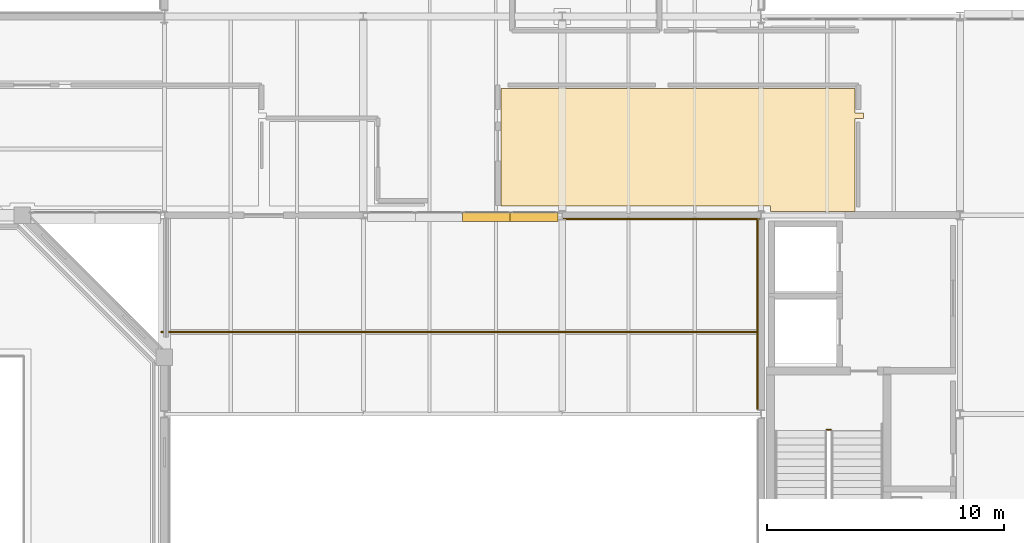
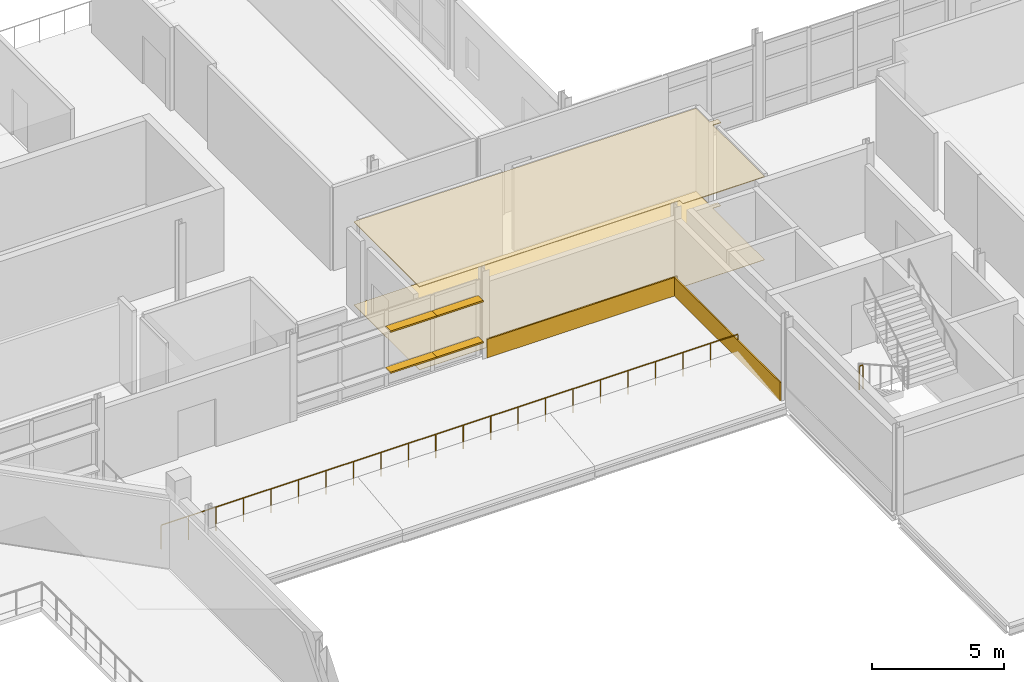
# One storey, part 136 of 151: 4 coverings, 4 shading devices, 2 railings.
"""IFC4 building model written with IfcOpenShell, lengths in metres."""

from ifc_helpers import new_model, si_unit, direction, frame, origin, origin_2d, place, context, subcontext, project, spatial, polyline, rectangle, circle, outline, extrude, material, layer, layer_set, type_object, element, save


model = new_model("IFC4")

# Units and contexts
model_context = context("Model", 3, precision=1e-05, world=origin(), true_north=direction((0.0, 1.0)))
body_context = subcontext(model_context, "Body", "Model", "MODEL_VIEW")
ifc_project = project(units=[si_unit("LENGTHUNIT", "METRE"), si_unit("AREAUNIT", "SQUARE_METRE"), si_unit("VOLUMEUNIT", "CUBIC_METRE"), si_unit("PLANEANGLEUNIT", "RADIAN"), si_unit("MASSUNIT", "GRAM", prefix="KILO")], contexts=[model_context])

# Site, building, storey
site_placement = place(None, origin())
site = spatial("IfcSite", under=ifc_project, at=site_placement, CompositionType="ELEMENT")
building_placement = place(site_placement, origin())
building = spatial("IfcBuilding", under=site, at=building_placement, Name="Mersafa Astral City Hall", CompositionType="ELEMENT")
storey_placement = place(building_placement, frame((0.0, 0.0, 9.89990234375)))
storey = spatial("IfcBuildingStorey", under=building, at=storey_placement, Name="L02", CompositionType="ELEMENT", Elevation=9.89990234375)

# Coverings
ifc_material_1 = material(Name="Cairo Mokattam buff limestone cladding", Category="masonry")
ifc_layer_1 = layer(ifc_material_1, 0.06005859375, Name="Cairo Mokattam buff limestone cladding")
ifc_layer_set_1 = layer_set([ifc_layer_1], Name="Cairo Mokattam buff limestone cladding — ENV-COV-LIMESTONE-60")
covering_type_1 = type_object("IfcCoveringType", Name="ENV-COV-LIMESTONE-60", PredefinedType="CLADDING", material=ifc_layer_set_1)
covering_1_placement = place(storey_placement, frame((113.39990234375, 25.0380859375, 0.0), z_axis=(0.0, 0.0, 1.0), x_axis=(1.0, 0.0, 0.0)))
element("IfcCovering", 1, at=covering_1_placement, inside=storey, type_object=covering_type_1, Name="L02 Cairo buff limestone rainscreen cladding 151", PredefinedType="CLADDING", context=body_context, shape_type="SweptSolid", body=[
    extrude(rectangle(XDim=8.323974609375, YDim=0.06005859375, at=origin_2d()), origin(), (0.0, 0.0, 1.0), 0.860107421875),
])
covering_2_placement = place(storey_placement, frame((117.445556640625, 21.0048828125, 0.0), z_axis=(0.0, 0.0, 1.0), x_axis=(0.0, -1.0, 0.0)))
element("IfcCovering", 2, at=covering_2_placement, inside=storey, type_object=covering_type_1, Name="L02 Cairo buff limestone rainscreen cladding 152", PredefinedType="CLADDING", context=body_context, shape_type="SweptSolid", body=[
    extrude(rectangle(XDim=7.998046875, YDim=0.06005859375, at=origin_2d()), origin(), (0.0, 0.0, 1.0), 0.860107421875),
])

# Railing
ifc_material_2 = material(Name="Anodised bronze steel balustrade with laminated safety infill", Category="steel")
railing_type_1 = type_object("IfcRailingType", Name="ENV-RAIL-TERRACE-1120", PredefinedType="BALUSTRADE", material=ifc_material_2)
railing_1_placement = place(storey_placement, frame((92.260009765625, 20.27001953125, 0.0)))
element("IfcRailing", 3, at=railing_1_placement, inside=storey, type_object=railing_type_1, Name="L02 Terrace perimeter guard balustrade 1", PredefinedType="BALUSTRADE", context=body_context, shape_type="SweptSolid", body=[
    extrude(circle(Radius=0.02392578125, at=origin_2d()), frame((0.0, 0.0, 1.09619140625), z_axis=(1.0, 0.0, 0.0), x_axis=(0.0, 1.0, 0.0)), (0.0, 0.0, 1.0), 25.199951171875),
    extrude(circle(Radius=0.02099609375, at=origin_2d()), origin(), (0.0, 0.0, 1.0), 1.072021484375),
    extrude(circle(Radius=0.02099609375, at=origin_2d()), frame((1.199951171875, 0.0, 0.0)), (0.0, 0.0, 1.0), 1.072021484375),
    extrude(circle(Radius=0.02099609375, at=origin_2d()), frame((2.39990234375, 0.0, 0.0)), (0.0, 0.0, 1.0), 1.072021484375),
    extrude(circle(Radius=0.02099609375, at=origin_2d()), frame((3.60009765625, 0.0, 0.0)), (0.0, 0.0, 1.0), 1.072021484375),
    extrude(circle(Radius=0.02099609375, at=origin_2d()), frame((4.800048828125, 0.0, 0.0)), (0.0, 0.0, 1.0), 1.072021484375),
    extrude(circle(Radius=0.02099609375, at=origin_2d()), frame((6.0, 0.0, 0.0)), (0.0, 0.0, 1.0), 1.072021484375),
    extrude(circle(Radius=0.02099609375, at=origin_2d()), frame((7.199951171875, 0.0, 0.0)), (0.0, 0.0, 1.0), 1.072021484375),
    extrude(circle(Radius=0.02099609375, at=origin_2d()), frame((8.39990234375, 0.0, 0.0)), (0.0, 0.0, 1.0), 1.072021484375),
    extrude(circle(Radius=0.02099609375, at=origin_2d()), frame((9.60009765625, 0.0, 0.0)), (0.0, 0.0, 1.0), 1.072021484375),
    extrude(circle(Radius=0.02099609375, at=origin_2d()), frame((10.800048828125, 0.0, 0.0)), (0.0, 0.0, 1.0), 1.072021484375),
    extrude(circle(Radius=0.02099609375, at=origin_2d()), frame((12.0, 0.0, 0.0)), (0.0, 0.0, 1.0), 1.072021484375),
    extrude(circle(Radius=0.02099609375, at=origin_2d()), frame((13.199951171875, 0.0, 0.0)), (0.0, 0.0, 1.0), 1.072021484375),
    extrude(circle(Radius=0.02099609375, at=origin_2d()), frame((14.39990234375, 0.0, 0.0)), (0.0, 0.0, 1.0), 1.072021484375),
    extrude(circle(Radius=0.02099609375, at=origin_2d()), frame((15.599853515625, 0.0, 0.0)), (0.0, 0.0, 1.0), 1.072021484375),
    extrude(circle(Radius=0.02099609375, at=origin_2d()), frame((16.800048828125, 0.0, 0.0)), (0.0, 0.0, 1.0), 1.072021484375),
    extrude(circle(Radius=0.02099609375, at=origin_2d()), frame((18.0, 0.0, 0.0)), (0.0, 0.0, 1.0), 1.072021484375),
    extrude(circle(Radius=0.02099609375, at=origin_2d()), frame((19.199951171875, 0.0, 0.0)), (0.0, 0.0, 1.0), 1.072021484375),
    extrude(circle(Radius=0.02099609375, at=origin_2d()), frame((20.39990234375, 0.0, 0.0)), (0.0, 0.0, 1.0), 1.072021484375),
    extrude(circle(Radius=0.02099609375, at=origin_2d()), frame((21.599853515625, 0.0, 0.0)), (0.0, 0.0, 1.0), 1.072021484375),
    extrude(circle(Radius=0.02099609375, at=origin_2d()), frame((22.800048828125, 0.0, 0.0)), (0.0, 0.0, 1.0), 1.072021484375),
    extrude(circle(Radius=0.02099609375, at=origin_2d()), frame((24.0, 0.0, 0.0)), (0.0, 0.0, 1.0), 1.072021484375),
    extrude(circle(Radius=0.02099609375, at=origin_2d()), frame((25.199951171875, 0.0, 0.0)), (0.0, 0.0, 1.0), 1.072021484375),
])

# Shading devices
ifc_material_3 = material(Name="Kiln-dried cedar timber brise-soleil blade", Category="wood")
shading_device_type = type_object("IfcShadingDeviceType", Name="ENV-SHD-LOUVRE-380", PredefinedType="JALOUSIE", material=ifc_material_3)
shading_device_1_placement = place(storey_placement, frame((106.009521484375, 25.1201171875, 0.81494140625), z_axis=(0.0, 0.0, 1.0), x_axis=(1.0, 0.0, 0.0)))
element("IfcShadingDevice", 4, at=shading_device_1_placement, inside=storey, type_object=shading_device_type, Name="L02 Horizontal cedar brise-soleil louvre 668", PredefinedType="JALOUSIE", context=body_context, shape_type="SweptSolid", body=[
    extrude(rectangle(XDim=2.05908203125, YDim=0.3798828125, at=origin_2d()), origin(), (0.0, 0.0, 1.0), 0.070068359375),
])
shading_device_2_placement = place(storey_placement, frame((108.013427734375, 25.1201171875, 0.81494140625), z_axis=(0.0, 0.0, 1.0), x_axis=(1.0, 0.0, 0.0)))
element("IfcShadingDevice", 5, at=shading_device_2_placement, inside=storey, type_object=shading_device_type, Name="L02 Horizontal cedar brise-soleil louvre 669", PredefinedType="JALOUSIE", context=body_context, shape_type="SweptSolid", body=[
    extrude(rectangle(XDim=2.029052734375, YDim=0.3798828125, at=origin_2d()), origin(), (0.0, 0.0, 1.0), 0.070068359375),
])
shading_device_3_placement = place(storey_placement, frame((106.009521484375, 25.1201171875, 2.71484375), z_axis=(0.0, 0.0, 1.0), x_axis=(1.0, 0.0, 0.0)))
element("IfcShadingDevice", 6, at=shading_device_3_placement, inside=storey, type_object=shading_device_type, Name="L02 Horizontal cedar brise-soleil louvre 672", PredefinedType="JALOUSIE", context=body_context, shape_type="SweptSolid", body=[
    extrude(rectangle(XDim=2.05908203125, YDim=0.3798828125, at=origin_2d()), origin(), (0.0, 0.0, 1.0), 0.070068359375),
])
shading_device_4_placement = place(storey_placement, frame((108.013427734375, 25.1201171875, 2.71484375), z_axis=(0.0, 0.0, 1.0), x_axis=(1.0, 0.0, 0.0)))
element("IfcShadingDevice", 7, at=shading_device_4_placement, inside=storey, type_object=shading_device_type, Name="L02 Horizontal cedar brise-soleil louvre 673", PredefinedType="JALOUSIE", context=body_context, shape_type="SweptSolid", body=[
    extrude(rectangle(XDim=2.029052734375, YDim=0.3798828125, at=origin_2d()), origin(), (0.0, 0.0, 1.0), 0.070068359375),
])

# Railing
ifc_material_4 = material(Name="Painted architectural steel stair guard balustrade", Category="steel")
railing_type_2 = type_object("IfcRailingType", Name="GUARD-RAIL", PredefinedType="BALUSTRADE", material=ifc_material_4)
railing_2_placement = place(storey_placement, frame((120.3798828125, 16.14990234375, 0.0)))
element("IfcRailing", 8, at=railing_2_placement, inside=storey, type_object=railing_type_2, Name="L02 ST5 stair guard 4", PredefinedType="BALUSTRADE", context=body_context, shape_type="SweptSolid", body=[
    extrude(circle(Radius=0.02392578125, at=origin_2d()), frame((0.0, 0.0, 1.09619140625), z_axis=(1.0, 0.0, 0.0), x_axis=(0.0, 1.0, 0.0)), (0.0, 0.0, 1.0), 0.16015625),
    extrude(circle(Radius=0.02099609375, at=origin_2d()), origin(), (0.0, 0.0, 1.0), 1.072021484375),
    extrude(circle(Radius=0.02099609375, at=origin_2d()), frame((0.16015625, 0.0, 0.0)), (0.0, 0.0, 1.0), 1.072021484375),
])

# Coverings
ifc_material_5 = material(Name="Slatted cedar timber acoustic baffle ceiling", Category="wood")
ifc_layer_2 = layer(ifc_material_5, 0.034912109375, Name="Slatted cedar timber acoustic baffle ceiling")
ifc_layer_set_2 = layer_set([ifc_layer_2], Name="Slatted cedar timber acoustic baffle ceiling — INT-COV-CEIL-35")
covering_type_2 = type_object("IfcCoveringType", Name="INT-COV-CEIL-35", PredefinedType="CEILING", material=ifc_layer_set_2)
covering_3_placement = place(storey_placement, frame((0.0, 0.0, 3.821044921875)))
element("IfcCovering", 9, at=covering_3_placement, inside=storey, type_object=covering_type_2, Name="L02 Press Gallery L02-29 acoustic ceiling", PredefinedType="CEILING", context=body_context, shape_type="SweptSolid", body=[
    extrude(outline(polyline([(106.6201171875, 30.56005859375), (106.89990234375, 30.56005859375), (121.570068359375, 30.56005859375), (121.570068359375, 29.52001953125), (121.919921875, 29.52001953125), (121.919921875, 29.280029296875), (121.570068359375, 29.280029296875), (121.570068359375, 25.360107421875), (118.0, 25.360107421875), (118.0, 25.60009765625), (106.6201171875, 25.60009765625), (106.6201171875, 30.56005859375)])), origin(), (0.0, 0.0, 1.0), 0.03515625),
])
ifc_material_6 = material(Name="Heavy-duty woven acoustic carpet tile", Category="finish")
ifc_layer_3 = layer(ifc_material_6, 0.014892578125, Name="Heavy-duty woven acoustic carpet tile")
ifc_layer_set_3 = layer_set([ifc_layer_3], Name="Heavy-duty woven acoustic carpet tile — INT-COV-FLR-15")
covering_type_3 = type_object("IfcCoveringType", Name="INT-COV-FLR-15", PredefinedType="FLOORING", material=ifc_layer_set_3)
covering_4_placement = place(storey_placement, frame((0.0, 0.0, -0.00146484375)))
element("IfcCovering", 10, at=covering_4_placement, inside=storey, type_object=covering_type_3, Name="L02 Press Gallery L02-29 architectural flooring", PredefinedType="FLOORING", context=body_context, shape_type="SweptSolid", body=[
    extrude(outline(polyline([(106.6201171875, 30.56005859375), (106.89990234375, 30.56005859375), (121.570068359375, 30.56005859375), (121.570068359375, 29.52001953125), (121.919921875, 29.52001953125), (121.919921875, 29.280029296875), (121.570068359375, 29.280029296875), (121.570068359375, 25.360107421875), (118.0, 25.360107421875), (118.0, 25.60009765625), (106.6201171875, 25.60009765625), (106.6201171875, 30.56005859375)])), origin(), (0.0, 0.0, 1.0), 0.014892578125),
])

save(model, "model.ifc")
